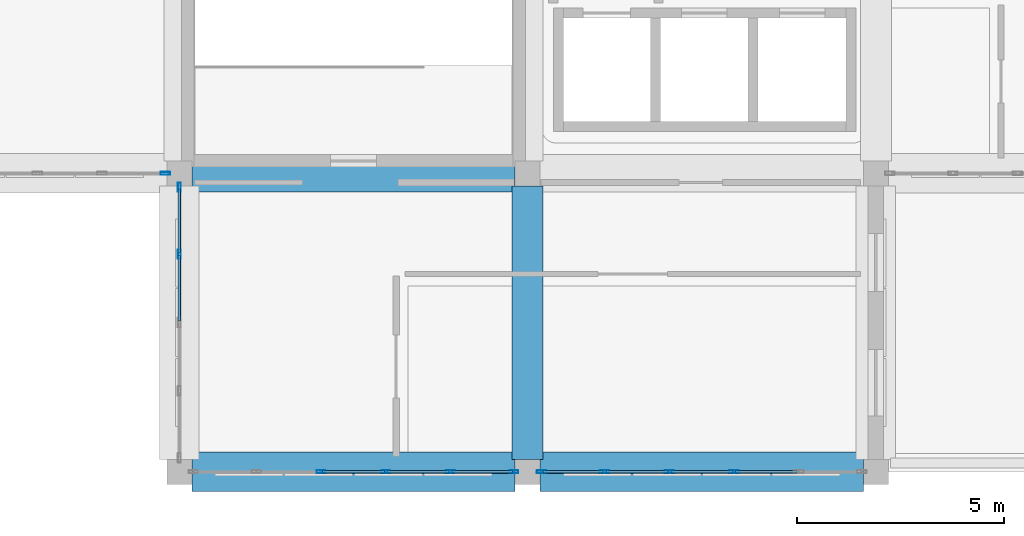
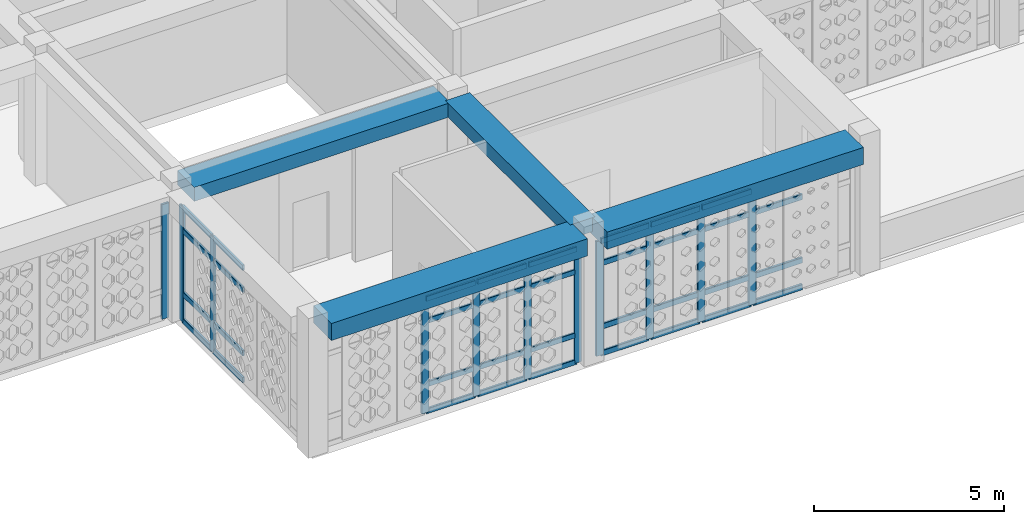
# One storey, part 3 of 28: 46 members, 4 beams, 4 elements without a shape of their own.
"""IFC4 building model written with IfcOpenShell, lengths in metres."""

import ifcopenshell
import ifcopenshell.guid

model = None  # the IFC model being written
_history = None  # IfcOwnerHistory: only IFC2X3 demands one
_inside = {}  # id of a spatial element -> (the spatial element, [elements in it])
_under = {}  # id of a project, library or spatial element -> (it, [spatial elements below it])
_declared = {}  # id of a project -> (the project, [libraries it declares])
_typed = {}  # id of a type object -> (the type object, [elements of that type])
_made_of = {}  # id of a material, layer set ... -> (it, [elements and type objects made of it])


def new_model(schema):
    """Start an empty IFC model of exactly this schema.

    Asked for "IFC4X3", IfcOpenShell would pick the latest addendum, in which some entities
    have other attributes; the version numbers below select the first issue.
    IFC2X3 requires an IfcOwnerHistory on every rooted entity: one is made here for all.
    """
    global model, _history
    if schema == "IFC4X3":
        model = ifcopenshell.file(schema_version=(4, 3, 0, 0))
    else:
        model = ifcopenshell.file(schema=schema)
    _inside.clear()
    _under.clear()
    _declared.clear()
    _typed.clear()
    _made_of.clear()
    _history = None
    if model.schema == "IFC2X3":
        org = make("IfcOrganization", Name="unknown")
        user = make(
            "IfcPersonAndOrganization",
            ThePerson=make("IfcPerson", FamilyName="unknown"),
            TheOrganization=org,
        )
        app = make(
            "IfcApplication",
            ApplicationDeveloper=org,
            Version="unknown",
            ApplicationFullName="unknown",
            ApplicationIdentifier="unknown",
        )
        _history = make(
            "IfcOwnerHistory",
            OwningUser=user,
            OwningApplication=app,
            ChangeAction="ADDED",
            CreationDate=0,
        )
    return model


def make(cls, **values):
    """One entity of the class cls with the attributes given. An attribute that is None is left unset."""
    return model.create_entity(
        cls, **{name: value for name, value in values.items() if value is not None}
    )


def rooted(cls, **values):
    """An entity with a GlobalId (a new one), such as an element, a storey or a relation."""
    return make(cls, GlobalId=ifcopenshell.guid.new(), OwnerHistory=_history, **values)


def si_unit(unit_type, name, prefix=None):
    """IfcSIUnit, for example si_unit("LENGTHUNIT", "METRE", prefix="MILLI")."""
    return make("IfcSIUnit", UnitType=unit_type, Prefix=prefix, Name=name)


def derived_unit(unit_type, elements):
    """IfcDerivedUnit: a product of units, each with its exponent."""
    return make(
        "IfcDerivedUnit",
        Elements=[
            make("IfcDerivedUnitElement", Unit=unit, Exponent=power)
            for unit, power in elements
        ],
        UnitType=unit_type,
    )


def assignment(units):
    """IfcUnitAssignment: the units of a project."""
    return None if units is None else make("IfcUnitAssignment", Units=units)


def point(xyz):
    """IfcCartesianPoint."""
    return None if xyz is None else make("IfcCartesianPoint", Coordinates=xyz)


def direction(xyz):
    """IfcDirection."""
    return None if xyz is None else make("IfcDirection", DirectionRatios=xyz)


def frame(location, z_axis=None, x_axis=None):
    """IfcAxis2Placement3D, a coordinate frame: its origin and axes. An axis left out is left unset."""
    return make(
        "IfcAxis2Placement3D",
        Location=point(location),
        Axis=direction(z_axis),
        RefDirection=direction(x_axis),
    )


def frame_2d(location, x_axis=None):
    """IfcAxis2Placement2D, a coordinate frame in the plane: its origin and x axis."""
    return make(
        "IfcAxis2Placement2D", Location=point(location), RefDirection=direction(x_axis)
    )


def origin():
    """The frame at (0, 0, 0) with its axes left unset."""
    return frame((0.0, 0.0, 0.0))


def origin_2d():
    """The frame at (0, 0) in the plane with its x axis left unset."""
    return frame_2d((0.0, 0.0))


def place(relative_to, where):
    """IfcLocalPlacement: puts the frame where relative to a parent placement (None: the world)."""
    return make(
        "IfcLocalPlacement", PlacementRelTo=relative_to, RelativePlacement=where
    )


def context(
    kind, dimensions, precision=None, world=None, true_north=None, identifier=None
):
    """IfcGeometricRepresentationContext, for example the 3D "Model" context."""
    return make(
        "IfcGeometricRepresentationContext",
        ContextIdentifier=identifier,
        ContextType=kind,
        CoordinateSpaceDimension=dimensions,
        Precision=precision,
        WorldCoordinateSystem=world,
        TrueNorth=true_north,
    )


def subcontext(parent, identifier, kind, view, scale=None):
    """IfcGeometricRepresentationSubContext, for example "Body" below "Model"."""
    return make(
        "IfcGeometricRepresentationSubContext",
        ContextIdentifier=identifier,
        ContextType=kind,
        ParentContext=parent,
        TargetScale=scale,
        TargetView=view,
    )


def project(units=None, contexts=None):
    """IfcProject with its units and contexts."""
    return rooted(
        "IfcProject",
        Name="project",
        RepresentationContexts=contexts,
        UnitsInContext=assignment(units),
    )


def spatial(cls, under=None, at=None, **own):
    """A site, building, storey or space (cls), placed at a placement, below another one or the project."""
    s = rooted(cls, ObjectPlacement=at, **own)
    if under is not None:
        _under.setdefault(under.id(), (under, []))[1].append(s)
    return s


def profile(cls, at=None, kind="AREA", **sizes):
    """A parametric profile (cls). Its sizes go by their IFC names, for example OverallWidth=200.0."""
    return make(cls, ProfileType=kind, Position=at, **sizes)


def rectangle(**sizes):
    """IfcRectangleProfileDef."""
    return profile("IfcRectangleProfileDef", **sizes)


def hollow_rectangle(**sizes):
    """IfcRectangleHollowProfileDef."""
    return profile("IfcRectangleHollowProfileDef", **sizes)


def extrude(swept, where, along, depth):
    """IfcExtrudedAreaSolid: the profile swept, set in the frame where, extruded along a direction by depth."""
    return make(
        "IfcExtrudedAreaSolid",
        SweptArea=swept,
        Position=where,
        ExtrudedDirection=direction(along),
        Depth=depth,
    )


def shape(context_of_items, identifier, shape_type, items):
    """IfcShapeRepresentation: the items that make up one representation, for example the "Body"."""
    return make(
        "IfcShapeRepresentation",
        ContextOfItems=context_of_items,
        RepresentationIdentifier=identifier,
        RepresentationType=shape_type,
        Items=items,
    )


def material(Name=None, Category=None):
    """IfcMaterial."""
    return make("IfcMaterial", Name=Name, Category=Category)


def material_profile(
    of_material, cross_section, Name=None, Category=None, Priority=None
):
    """IfcMaterialProfile: a cross section and its material."""
    return make(
        "IfcMaterialProfile",
        Name=Name,
        Material=of_material,
        Profile=cross_section,
        Priority=Priority,
        Category=Category,
    )


def profile_set(profiles, Name=None, composite=None):
    """IfcMaterialProfileSet."""
    return make(
        "IfcMaterialProfileSet",
        Name=Name,
        MaterialProfiles=profiles,
        CompositeProfile=composite,
    )


def made_of(thing, what):
    """Note that an element or type object is made of a material, layer set ...; save() writes the relation."""
    if what is not None:
        _made_of.setdefault(what.id(), (what, []))[1].append(thing)
    return thing


def type_object(cls, material=None, **own):
    """A type object (cls), such as IfcWallType, which elements share."""
    return made_of(rooted(cls, **own), material)


def element(
    cls,
    number,
    at=None,
    inside=None,
    cuts=None,
    type_object=None,
    material=None,
    context=None,
    identifier="Body",
    shape_type=None,
    held_by="IfcProductDefinitionShape",
    body=None,
    shapes=None,
    **own,
):
    """One element of the class cls, such as IfcWall. Its Tag is "e" and its number.

    at: its placement. inside: the storey or other place that contains it. cuts: it is an
    opening in that element (IfcRelVoidsElement). A single representation is given by context,
    identifier, shape_type and body (its items); several are given by shapes. held_by: the class
    of the entity that holds the representations. save() writes the other relations.
    """
    e = rooted(cls, Tag="e%d" % number, ObjectPlacement=at, **own)
    if body is not None:
        shapes = [shape(context, identifier, shape_type, body)]
    if shapes is not None:
        e.Representation = make(held_by, Representations=shapes)
    if inside is not None:
        _inside.setdefault(inside.id(), (inside, []))[1].append(e)
    if cuts is not None:
        rooted(
            "IfcRelVoidsElement", RelatingBuildingElement=cuts, RelatedOpeningElement=e
        )
    if type_object is not None:
        _typed.setdefault(type_object.id(), (type_object, []))[1].append(e)
    return made_of(e, material)


def aggregate(whole, parts):
    """IfcRelAggregates: a whole, such as a stair, and the parts it consists of."""
    return rooted("IfcRelAggregates", RelatingObject=whole, RelatedObjects=parts)


def save(model, path):
    """Write the relations noted so far, then the file.

    IfcRelAggregates (storeys below a building ...), IfcRelContainedInSpatialStructure (elements
    in a storey), IfcRelDefinesByType, IfcRelAssociatesMaterial and IfcRelDeclares: one each for
    every whole, place, type object, material and project.
    """
    for whole, parts in _under.values():
        aggregate(whole, parts)
    for where, things in _inside.values():
        rooted(
            "IfcRelContainedInSpatialStructure",
            RelatedElements=things,
            RelatingStructure=where,
        )
    for kind, things in _typed.values():
        rooted("IfcRelDefinesByType", RelatedObjects=things, RelatingType=kind)
    for what, things in _made_of.values():
        rooted("IfcRelAssociatesMaterial", RelatedObjects=things, RelatingMaterial=what)
    for by, libraries in _declared.values():
        rooted("IfcRelDeclares", RelatingContext=by, RelatedDefinitions=libraries)
    model.write(path)


model = new_model("IFC4")

# Units and contexts
model_context = context("Model", 3, precision=1e-05, world=origin(), true_north=direction((0.0, 1.0)))
body_context = subcontext(model_context, "Body", "Model", "MODEL_VIEW")
ifc_project = project(units=[si_unit("LENGTHUNIT", "METRE"), si_unit("AREAUNIT", "SQUARE_METRE"), si_unit("VOLUMEUNIT", "CUBIC_METRE"), si_unit("PLANEANGLEUNIT", "RADIAN"), si_unit("MASSUNIT", "GRAM", prefix="KILO"), derived_unit("THERMALTRANSMITTANCEUNIT", [(si_unit("POWERUNIT", "WATT"), 1), (si_unit("LENGTHUNIT", "METRE"), -2), (si_unit("THERMODYNAMICTEMPERATUREUNIT", "KELVIN"), -1)])], contexts=[model_context])

# Site, building, storey
site_placement = place(None, origin())
site = spatial("IfcSite", under=ifc_project, at=site_placement, CompositionType="ELEMENT")
building_placement = place(site_placement, origin())
building = spatial("IfcBuilding", under=site, at=building_placement, Name="Veybourne Emporium", CompositionType="ELEMENT")
storey_placement = place(building_placement, frame((0.0, 0.0, 32.10009765625)))
storey = spatial("IfcBuildingStorey", under=building, at=storey_placement, Name="L07", CompositionType="ELEMENT", Elevation=32.10009765625)

# Curtain wall, members
ifc_material_1 = material(Name="Patinated Architectural Bronze", Category="bronze")
curtain_wall_type_1 = type_object("IfcCurtainWallType", Name="CWSystem_CWS-21", PredefinedType="NOTDEFINED", material=ifc_material_1)
curtain_wall_1_placement = place(storey_placement, origin())
curtain_wall_1 = element("IfcCurtainWall", 1, at=curtain_wall_1_placement, inside=storey, type_object=curtain_wall_type_1, Name="L07 bronze glazed curtain wall CWS-21 (009)", PredefinedType="NOTDEFINED")
ifc_material_profile_1 = material_profile(ifc_material_1, hollow_rectangle(XDim=0.072021484375, YDim=0.22509765625, WallThickness=0.0048828125, InnerFilletRadius=0.007568359375, OuterFilletRadius=0.012451171875, at=origin_2d()), Name="CWM 72x225x5")
ifc_profile_set_1 = profile_set([ifc_material_profile_1], Name="Patinated Architectural Bronze")
member_type_1 = type_object("IfcMemberType", Name="CWMullion_CW-M1", PredefinedType="MULLION", material=ifc_profile_set_1)
member_1_placement = place(storey_placement, frame((16.800048828125, 12.449951171875, 0.0), z_axis=(0.0, 0.0, 1.0), x_axis=(-1.0, 0.0, 0.0)))
member_1 = element("IfcMember", 2, at=member_1_placement, type_object=member_type_1, Name="CWS-21 mullion 4", PredefinedType="MULLION", context=body_context, shape_type="SweptSolid", body=[
    extrude(hollow_rectangle(XDim=0.072021484375, YDim=0.22509765625, WallThickness=0.0048828125, InnerFilletRadius=0.007568359375, OuterFilletRadius=0.012451171875, at=origin_2d()), origin(), (0.0, 0.0, 1.0), 3.68994140625),
])
member_2_placement = place(storey_placement, frame((16.800048828125, 14.06396484375, 0.0), z_axis=(0.0, 0.0, 1.0), x_axis=(-1.0, 0.0, 0.0)))
member_2 = element("IfcMember", 3, at=member_2_placement, type_object=member_type_1, Name="CWS-21 mullion 5", PredefinedType="MULLION", context=body_context, shape_type="SweptSolid", body=[
    extrude(hollow_rectangle(XDim=0.072021484375, YDim=0.22509765625, WallThickness=0.0048828125, InnerFilletRadius=0.007568359375, OuterFilletRadius=0.012451171875, at=origin_2d()), origin(), (0.0, 0.0, 1.0), 3.68994140625),
])

# Curtain wall, member
curtain_wall_type_2 = type_object("IfcCurtainWallType", Name="CWSystem_CWS-18", PredefinedType="NOTDEFINED", material=ifc_material_1)
curtain_wall_2_placement = place(storey_placement, origin())
curtain_wall_2 = element("IfcCurtainWall", 4, at=curtain_wall_2_placement, inside=storey, type_object=curtain_wall_type_2, Name="L07 bronze glazed curtain wall CWS-18 (001)", PredefinedType="NOTDEFINED")
ifc_material_profile_2 = material_profile(ifc_material_1, hollow_rectangle(XDim=0.074951171875, YDim=0.22998046875, WallThickness=0.0048828125, InnerFilletRadius=0.007568359375, OuterFilletRadius=0.012451171875, at=origin_2d()), Name="CWM 75x230x5")
ifc_profile_set_2 = profile_set([ifc_material_profile_2], Name="Patinated Architectural Bronze")
member_type_2 = type_object("IfcMemberType", Name="CWMullion_CW-M2", PredefinedType="MULLION", material=ifc_profile_set_2)
member_3_placement = place(storey_placement, frame((16.46240234375, 14.39990234375, 0.0), z_axis=(0.0, 0.0, 1.0), x_axis=(0.0, -1.0, 0.0)))
member_3 = element("IfcMember", 5, at=member_3_placement, type_object=member_type_2, Name="CWS-18 mullion 1", PredefinedType="MULLION", context=body_context, shape_type="SweptSolid", body=[
    extrude(hollow_rectangle(XDim=0.074951171875, YDim=0.22998046875, WallThickness=0.0048828125, InnerFilletRadius=0.007568359375, OuterFilletRadius=0.012451171875, at=origin_2d()), origin(), (0.0, 0.0, 1.0), 3.68994140625),
])
aggregate(curtain_wall_2, [member_3])

# Curtain wall, members
curtain_wall_type_3 = type_object("IfcCurtainWallType", Name="CWSystem_CWS-22", PredefinedType="NOTDEFINED", material=ifc_material_1)
curtain_wall_3_placement = place(storey_placement, origin())
curtain_wall_3 = element("IfcCurtainWall", 6, at=curtain_wall_3_placement, inside=storey, type_object=curtain_wall_type_3, Name="L07 bronze glazed curtain wall CWS-22 (011)", PredefinedType="NOTDEFINED")
member_4_placement = place(storey_placement, frame((30.179931640625, 7.199951171875, 0.0), z_axis=(0.0, 0.0, 1.0), x_axis=(0.0, -1.0, 0.0)))
member_4 = element("IfcMember", 7, at=member_4_placement, type_object=member_type_2, Name="CWS-22 mullion 3", PredefinedType="MULLION", context=body_context, shape_type="SweptSolid", body=[
    extrude(hollow_rectangle(XDim=0.074951171875, YDim=0.22998046875, WallThickness=0.0048828125, InnerFilletRadius=0.007568359375, OuterFilletRadius=0.012451171875, at=origin_2d()), origin(), (0.0, 0.0, 1.0), 3.68994140625),
])
member_5_placement = place(storey_placement, frame((28.6201171875, 7.199951171875, 0.0), z_axis=(0.0, 0.0, 1.0), x_axis=(0.0, -1.0, 0.0)))
member_5 = element("IfcMember", 8, at=member_5_placement, type_object=member_type_2, Name="CWS-22 mullion 4", PredefinedType="MULLION", context=body_context, shape_type="SweptSolid", body=[
    extrude(hollow_rectangle(XDim=0.074951171875, YDim=0.22998046875, WallThickness=0.0048828125, InnerFilletRadius=0.007568359375, OuterFilletRadius=0.012451171875, at=origin_2d()), origin(), (0.0, 0.0, 1.0), 3.68994140625),
])
member_6_placement = place(storey_placement, frame((27.06005859375, 7.199951171875, 0.0), z_axis=(0.0, 0.0, 1.0), x_axis=(0.0, -1.0, 0.0)))
member_6 = element("IfcMember", 9, at=member_6_placement, type_object=member_type_2, Name="CWS-22 mullion 5", PredefinedType="MULLION", context=body_context, shape_type="SweptSolid", body=[
    extrude(hollow_rectangle(XDim=0.074951171875, YDim=0.22998046875, WallThickness=0.0048828125, InnerFilletRadius=0.007568359375, OuterFilletRadius=0.012451171875, at=origin_2d()), origin(), (0.0, 0.0, 1.0), 3.68994140625),
])
member_7_placement = place(storey_placement, frame((25.53759765625, 7.199951171875, 0.0), z_axis=(0.0, 0.0, 1.0), x_axis=(0.0, -1.0, 0.0)))
member_7 = element("IfcMember", 10, at=member_7_placement, type_object=member_type_2, Name="CWS-22 mullion 6", PredefinedType="MULLION", context=body_context, shape_type="SweptSolid", body=[
    extrude(hollow_rectangle(XDim=0.074951171875, YDim=0.22998046875, WallThickness=0.0048828125, InnerFilletRadius=0.007568359375, OuterFilletRadius=0.012451171875, at=origin_2d()), origin(), (0.0, 0.0, 1.0), 3.68994140625),
])

curtain_wall_type_4 = type_object("IfcCurtainWallType", Name="CWSystem_CWS-20", PredefinedType="NOTDEFINED", material=ifc_material_1)
curtain_wall_4_placement = place(storey_placement, origin())
curtain_wall_4 = element("IfcCurtainWall", 11, at=curtain_wall_4_placement, inside=storey, type_object=curtain_wall_type_4, Name="L07 bronze glazed curtain wall CWS-20 (008)", PredefinedType="NOTDEFINED")
ifc_material_profile_3 = material_profile(ifc_material_1, hollow_rectangle(XDim=0.070068359375, YDim=0.219970703125, WallThickness=0.0048828125, InnerFilletRadius=0.007568359375, OuterFilletRadius=0.012451171875, at=origin_2d()), Name="CWM 70x220x5")
ifc_profile_set_3 = profile_set([ifc_material_profile_3], Name="Patinated Architectural Bronze")
member_type_3 = type_object("IfcMemberType", Name="CWMullion_CW-M4", PredefinedType="MULLION", material=ifc_profile_set_3)
member_8_placement = place(storey_placement, frame((24.864990234375, 7.199951171875, 0.0), z_axis=(0.0, 0.0, 1.0), x_axis=(0.0, -1.0, 0.0)))
member_8 = element("IfcMember", 12, at=member_8_placement, type_object=member_type_3, Name="CWS-20 mullion 1", PredefinedType="MULLION", context=body_context, shape_type="SweptSolid", body=[
    extrude(hollow_rectangle(XDim=0.070068359375, YDim=0.219970703125, WallThickness=0.0048828125, InnerFilletRadius=0.007568359375, OuterFilletRadius=0.012451171875, at=origin_2d()), origin(), (0.0, 0.0, 1.0), 3.68994140625),
])
member_9_placement = place(storey_placement, frame((23.340087890625, 7.199951171875, 0.0), z_axis=(0.0, 0.0, 1.0), x_axis=(0.0, -1.0, 0.0)))
member_9 = element("IfcMember", 13, at=member_9_placement, type_object=member_type_3, Name="CWS-20 mullion 2", PredefinedType="MULLION", context=body_context, shape_type="SweptSolid", body=[
    extrude(hollow_rectangle(XDim=0.070068359375, YDim=0.219970703125, WallThickness=0.0048828125, InnerFilletRadius=0.007568359375, OuterFilletRadius=0.012451171875, at=origin_2d()), origin(), (0.0, 0.0, 1.0), 3.68994140625),
])
member_10_placement = place(storey_placement, frame((21.780029296875, 7.199951171875, 0.0), z_axis=(0.0, 0.0, 1.0), x_axis=(0.0, -1.0, 0.0)))
member_10 = element("IfcMember", 14, at=member_10_placement, type_object=member_type_3, Name="CWS-20 mullion 3", PredefinedType="MULLION", context=body_context, shape_type="SweptSolid", body=[
    extrude(hollow_rectangle(XDim=0.070068359375, YDim=0.219970703125, WallThickness=0.0048828125, InnerFilletRadius=0.007568359375, OuterFilletRadius=0.012451171875, at=origin_2d()), origin(), (0.0, 0.0, 1.0), 3.68994140625),
])
member_11_placement = place(storey_placement, frame((20.219970703125, 7.199951171875, 0.0), z_axis=(0.0, 0.0, 1.0), x_axis=(0.0, -1.0, 0.0)))
member_11 = element("IfcMember", 15, at=member_11_placement, type_object=member_type_3, Name="CWS-20 mullion 4", PredefinedType="MULLION", context=body_context, shape_type="SweptSolid", body=[
    extrude(hollow_rectangle(XDim=0.070068359375, YDim=0.219970703125, WallThickness=0.0048828125, InnerFilletRadius=0.007568359375, OuterFilletRadius=0.012451171875, at=origin_2d()), origin(), (0.0, 0.0, 1.0), 3.68994140625),
])

# Member
ifc_material_profile_4 = material_profile(ifc_material_1, hollow_rectangle(XDim=0.072021484375, YDim=0.175048828125, WallThickness=0.0048828125, InnerFilletRadius=0.007568359375, OuterFilletRadius=0.012451171875, at=origin_2d()), Name="CWT 72x175x5")
ifc_profile_set_4 = profile_set([ifc_material_profile_4], Name="Patinated Architectural Bronze")
member_type_4 = type_object("IfcMemberType", Name="CWTransom_CW-T1", PredefinedType="NOTDEFINED", material=ifc_profile_set_4)
member_12_placement = place(storey_placement, frame((16.800048828125, 10.8359375, 0.035888671875), z_axis=(0.0, 1.0, 0.0), x_axis=(-1.0, 0.0, 0.0)))
member_12 = element("IfcMember", 16, at=member_12_placement, type_object=member_type_4, Name="CWS-21 transom 3.1", ObjectType="TRANSOM", PredefinedType="USERDEFINED", context=body_context, shape_type="SweptSolid", body=[
    extrude(hollow_rectangle(XDim=0.072021484375, YDim=0.175048828125, WallThickness=0.0048828125, InnerFilletRadius=0.007568359375, OuterFilletRadius=0.012451171875, at=origin_2d()), origin(), (0.0, 0.0, 1.0), 1.578125),
])

member_13_placement = place(storey_placement, frame((16.800048828125, 10.8359375, 0.89990234375), z_axis=(0.0, 1.0, 0.0), x_axis=(-1.0, 0.0, 0.0)))
member_13 = element("IfcMember", 17, at=member_13_placement, type_object=member_type_4, Name="CWS-21 transom 3.2", ObjectType="TRANSOM", PredefinedType="USERDEFINED", context=body_context, shape_type="SweptSolid", body=[
    extrude(hollow_rectangle(XDim=0.072021484375, YDim=0.175048828125, WallThickness=0.0048828125, InnerFilletRadius=0.007568359375, OuterFilletRadius=0.012451171875, at=origin_2d()), origin(), (0.0, 0.0, 1.0), 1.578125),
])

member_14_placement = place(storey_placement, frame((16.800048828125, 10.8359375, 2.93994140625), z_axis=(0.0, 1.0, 0.0), x_axis=(-1.0, 0.0, 0.0)))
member_14 = element("IfcMember", 18, at=member_14_placement, type_object=member_type_4, Name="CWS-21 transom 3.3", ObjectType="TRANSOM", PredefinedType="USERDEFINED", context=body_context, shape_type="SweptSolid", body=[
    extrude(hollow_rectangle(XDim=0.072021484375, YDim=0.175048828125, WallThickness=0.0048828125, InnerFilletRadius=0.007568359375, OuterFilletRadius=0.012451171875, at=origin_2d()), origin(), (0.0, 0.0, 1.0), 1.578125),
])

member_15_placement = place(storey_placement, frame((16.800048828125, 10.8359375, 3.65380859375), z_axis=(0.0, 1.0, 0.0), x_axis=(-1.0, 0.0, 0.0)))
member_15 = element("IfcMember", 19, at=member_15_placement, type_object=member_type_4, Name="CWS-21 transom 3.4", ObjectType="TRANSOM", PredefinedType="USERDEFINED", context=body_context, shape_type="SweptSolid", body=[
    extrude(hollow_rectangle(XDim=0.072021484375, YDim=0.175048828125, WallThickness=0.0048828125, InnerFilletRadius=0.007568359375, OuterFilletRadius=0.012451171875, at=origin_2d()), origin(), (0.0, 0.0, 1.0), 1.578125),
])

member_16_placement = place(storey_placement, frame((16.800048828125, 12.486083984375, 0.035888671875), z_axis=(0.0, 1.0, 0.0), x_axis=(-1.0, 0.0, 0.0)))
member_16 = element("IfcMember", 20, at=member_16_placement, type_object=member_type_4, Name="CWS-21 transom 4.1", ObjectType="TRANSOM", PredefinedType="USERDEFINED", context=body_context, shape_type="SweptSolid", body=[
    extrude(hollow_rectangle(XDim=0.072021484375, YDim=0.175048828125, WallThickness=0.0048828125, InnerFilletRadius=0.007568359375, OuterFilletRadius=0.012451171875, at=origin_2d()), origin(), (0.0, 0.0, 1.0), 1.5419921875),
])

member_17_placement = place(storey_placement, frame((16.800048828125, 12.486083984375, 0.89990234375), z_axis=(0.0, 1.0, 0.0), x_axis=(-1.0, 0.0, 0.0)))
member_17 = element("IfcMember", 21, at=member_17_placement, type_object=member_type_4, Name="CWS-21 transom 4.2", ObjectType="TRANSOM", PredefinedType="USERDEFINED", context=body_context, shape_type="SweptSolid", body=[
    extrude(hollow_rectangle(XDim=0.072021484375, YDim=0.175048828125, WallThickness=0.0048828125, InnerFilletRadius=0.007568359375, OuterFilletRadius=0.012451171875, at=origin_2d()), origin(), (0.0, 0.0, 1.0), 1.5419921875),
])

member_18_placement = place(storey_placement, frame((16.800048828125, 12.486083984375, 2.93994140625), z_axis=(0.0, 1.0, 0.0), x_axis=(-1.0, 0.0, 0.0)))
member_18 = element("IfcMember", 22, at=member_18_placement, type_object=member_type_4, Name="CWS-21 transom 4.3", ObjectType="TRANSOM", PredefinedType="USERDEFINED", context=body_context, shape_type="SweptSolid", body=[
    extrude(hollow_rectangle(XDim=0.072021484375, YDim=0.175048828125, WallThickness=0.0048828125, InnerFilletRadius=0.007568359375, OuterFilletRadius=0.012451171875, at=origin_2d()), origin(), (0.0, 0.0, 1.0), 1.5419921875),
])

member_19_placement = place(storey_placement, frame((16.800048828125, 12.486083984375, 3.65380859375), z_axis=(0.0, 1.0, 0.0), x_axis=(-1.0, 0.0, 0.0)))
member_19 = element("IfcMember", 23, at=member_19_placement, type_object=member_type_4, Name="CWS-21 transom 4.4", ObjectType="TRANSOM", PredefinedType="USERDEFINED", context=body_context, shape_type="SweptSolid", body=[
    extrude(hollow_rectangle(XDim=0.072021484375, YDim=0.175048828125, WallThickness=0.0048828125, InnerFilletRadius=0.007568359375, OuterFilletRadius=0.012451171875, at=origin_2d()), origin(), (0.0, 0.0, 1.0), 1.5419921875),
])

aggregate(curtain_wall_1, [member_1, member_2, member_12, member_13, member_14, member_15, member_16, member_17, member_18, member_19])

ifc_material_profile_5 = material_profile(ifc_material_1, hollow_rectangle(XDim=0.074951171875, YDim=0.179931640625, WallThickness=0.0048828125, InnerFilletRadius=0.007568359375, OuterFilletRadius=0.012451171875, at=origin_2d()), Name="CWT 75x180x5")
ifc_profile_set_5 = profile_set([ifc_material_profile_5], Name="Patinated Architectural Bronze")
member_type_5 = type_object("IfcMemberType", Name="CWTransom_CW-T2", PredefinedType="NOTDEFINED", material=ifc_profile_set_5)
member_20_placement = place(storey_placement, frame((31.702392578125, 7.199951171875, 0.037353515625), z_axis=(-1.0, 0.0, 0.0), x_axis=(0.0, -1.0, 0.0)))
member_20 = element("IfcMember", 24, at=member_20_placement, type_object=member_type_5, Name="CWS-22 transom 2.1", ObjectType="TRANSOM", PredefinedType="USERDEFINED", context=body_context, shape_type="SweptSolid", body=[
    extrude(hollow_rectangle(XDim=0.074951171875, YDim=0.179931640625, WallThickness=0.0048828125, InnerFilletRadius=0.007568359375, OuterFilletRadius=0.012451171875, at=origin_2d()), origin(), (0.0, 0.0, 1.0), 1.48486328125),
])

member_21_placement = place(storey_placement, frame((31.702392578125, 7.199951171875, 0.89990234375), z_axis=(-1.0, 0.0, 0.0), x_axis=(0.0, -1.0, 0.0)))
member_21 = element("IfcMember", 25, at=member_21_placement, type_object=member_type_5, Name="CWS-22 transom 2.2", ObjectType="TRANSOM", PredefinedType="USERDEFINED", context=body_context, shape_type="SweptSolid", body=[
    extrude(hollow_rectangle(XDim=0.074951171875, YDim=0.179931640625, WallThickness=0.0048828125, InnerFilletRadius=0.007568359375, OuterFilletRadius=0.012451171875, at=origin_2d()), origin(), (0.0, 0.0, 1.0), 1.48486328125),
])

member_22_placement = place(storey_placement, frame((31.702392578125, 7.199951171875, 2.93994140625), z_axis=(-1.0, 0.0, 0.0), x_axis=(0.0, -1.0, 0.0)))
member_22 = element("IfcMember", 26, at=member_22_placement, type_object=member_type_5, Name="CWS-22 transom 2.3", ObjectType="TRANSOM", PredefinedType="USERDEFINED", context=body_context, shape_type="SweptSolid", body=[
    extrude(hollow_rectangle(XDim=0.074951171875, YDim=0.179931640625, WallThickness=0.0048828125, InnerFilletRadius=0.007568359375, OuterFilletRadius=0.012451171875, at=origin_2d()), origin(), (0.0, 0.0, 1.0), 1.48486328125),
])

member_23_placement = place(storey_placement, frame((30.142578125, 7.199951171875, 0.037353515625), z_axis=(-1.0, 0.0, 0.0), x_axis=(0.0, -1.0, 0.0)))
member_23 = element("IfcMember", 27, at=member_23_placement, type_object=member_type_5, Name="CWS-22 transom 3.1", ObjectType="TRANSOM", PredefinedType="USERDEFINED", context=body_context, shape_type="SweptSolid", body=[
    extrude(hollow_rectangle(XDim=0.074951171875, YDim=0.179931640625, WallThickness=0.0048828125, InnerFilletRadius=0.007568359375, OuterFilletRadius=0.012451171875, at=origin_2d()), origin(), (0.0, 0.0, 1.0), 1.485107421875),
])

member_24_placement = place(storey_placement, frame((30.142578125, 7.199951171875, 0.89990234375), z_axis=(-1.0, 0.0, 0.0), x_axis=(0.0, -1.0, 0.0)))
member_24 = element("IfcMember", 28, at=member_24_placement, type_object=member_type_5, Name="CWS-22 transom 3.2", ObjectType="TRANSOM", PredefinedType="USERDEFINED", context=body_context, shape_type="SweptSolid", body=[
    extrude(hollow_rectangle(XDim=0.074951171875, YDim=0.179931640625, WallThickness=0.0048828125, InnerFilletRadius=0.007568359375, OuterFilletRadius=0.012451171875, at=origin_2d()), origin(), (0.0, 0.0, 1.0), 1.485107421875),
])

member_25_placement = place(storey_placement, frame((30.142578125, 7.199951171875, 2.93994140625), z_axis=(-1.0, 0.0, 0.0), x_axis=(0.0, -1.0, 0.0)))
member_25 = element("IfcMember", 29, at=member_25_placement, type_object=member_type_5, Name="CWS-22 transom 3.3", ObjectType="TRANSOM", PredefinedType="USERDEFINED", context=body_context, shape_type="SweptSolid", body=[
    extrude(hollow_rectangle(XDim=0.074951171875, YDim=0.179931640625, WallThickness=0.0048828125, InnerFilletRadius=0.007568359375, OuterFilletRadius=0.012451171875, at=origin_2d()), origin(), (0.0, 0.0, 1.0), 1.485107421875),
])

member_26_placement = place(storey_placement, frame((30.142578125, 7.199951171875, 3.65234375), z_axis=(-1.0, 0.0, 0.0), x_axis=(0.0, -1.0, 0.0)))
member_26 = element("IfcMember", 30, at=member_26_placement, type_object=member_type_5, Name="CWS-22 transom 3.4", ObjectType="TRANSOM", PredefinedType="USERDEFINED", context=body_context, shape_type="SweptSolid", body=[
    extrude(hollow_rectangle(XDim=0.074951171875, YDim=0.179931640625, WallThickness=0.0048828125, InnerFilletRadius=0.007568359375, OuterFilletRadius=0.012451171875, at=origin_2d()), origin(), (0.0, 0.0, 1.0), 1.485107421875),
])

member_27_placement = place(storey_placement, frame((28.58251953125, 7.199951171875, 0.037353515625), z_axis=(-1.0, 0.0, 0.0), x_axis=(0.0, -1.0, 0.0)))
member_27 = element("IfcMember", 31, at=member_27_placement, type_object=member_type_5, Name="CWS-22 transom 4.1", ObjectType="TRANSOM", PredefinedType="USERDEFINED", context=body_context, shape_type="SweptSolid", body=[
    extrude(hollow_rectangle(XDim=0.074951171875, YDim=0.179931640625, WallThickness=0.0048828125, InnerFilletRadius=0.007568359375, OuterFilletRadius=0.012451171875, at=origin_2d()), origin(), (0.0, 0.0, 1.0), 1.485107421875),
])

member_28_placement = place(storey_placement, frame((28.58251953125, 7.199951171875, 0.89990234375), z_axis=(-1.0, 0.0, 0.0), x_axis=(0.0, -1.0, 0.0)))
member_28 = element("IfcMember", 32, at=member_28_placement, type_object=member_type_5, Name="CWS-22 transom 4.2", ObjectType="TRANSOM", PredefinedType="USERDEFINED", context=body_context, shape_type="SweptSolid", body=[
    extrude(hollow_rectangle(XDim=0.074951171875, YDim=0.179931640625, WallThickness=0.0048828125, InnerFilletRadius=0.007568359375, OuterFilletRadius=0.012451171875, at=origin_2d()), origin(), (0.0, 0.0, 1.0), 1.485107421875),
])

member_29_placement = place(storey_placement, frame((28.58251953125, 7.199951171875, 2.93994140625), z_axis=(-1.0, 0.0, 0.0), x_axis=(0.0, -1.0, 0.0)))
member_29 = element("IfcMember", 33, at=member_29_placement, type_object=member_type_5, Name="CWS-22 transom 4.3", ObjectType="TRANSOM", PredefinedType="USERDEFINED", context=body_context, shape_type="SweptSolid", body=[
    extrude(hollow_rectangle(XDim=0.074951171875, YDim=0.179931640625, WallThickness=0.0048828125, InnerFilletRadius=0.007568359375, OuterFilletRadius=0.012451171875, at=origin_2d()), origin(), (0.0, 0.0, 1.0), 1.485107421875),
])

member_30_placement = place(storey_placement, frame((28.58251953125, 7.199951171875, 3.65234375), z_axis=(-1.0, 0.0, 0.0), x_axis=(0.0, -1.0, 0.0)))
member_30 = element("IfcMember", 34, at=member_30_placement, type_object=member_type_5, Name="CWS-22 transom 4.4", ObjectType="TRANSOM", PredefinedType="USERDEFINED", context=body_context, shape_type="SweptSolid", body=[
    extrude(hollow_rectangle(XDim=0.074951171875, YDim=0.179931640625, WallThickness=0.0048828125, InnerFilletRadius=0.007568359375, OuterFilletRadius=0.012451171875, at=origin_2d()), origin(), (0.0, 0.0, 1.0), 1.485107421875),
])

member_31_placement = place(storey_placement, frame((27.0224609375, 7.199951171875, 0.037353515625), z_axis=(-1.0, 0.0, 0.0), x_axis=(0.0, -1.0, 0.0)))
member_31 = element("IfcMember", 35, at=member_31_placement, type_object=member_type_5, Name="CWS-22 transom 5.1", ObjectType="TRANSOM", PredefinedType="USERDEFINED", context=body_context, shape_type="SweptSolid", body=[
    extrude(hollow_rectangle(XDim=0.074951171875, YDim=0.179931640625, WallThickness=0.0048828125, InnerFilletRadius=0.007568359375, OuterFilletRadius=0.012451171875, at=origin_2d()), origin(), (0.0, 0.0, 1.0), 1.447509765625),
])

member_32_placement = place(storey_placement, frame((27.0224609375, 7.199951171875, 0.89990234375), z_axis=(-1.0, 0.0, 0.0), x_axis=(0.0, -1.0, 0.0)))
member_32 = element("IfcMember", 36, at=member_32_placement, type_object=member_type_5, Name="CWS-22 transom 5.2", ObjectType="TRANSOM", PredefinedType="USERDEFINED", context=body_context, shape_type="SweptSolid", body=[
    extrude(hollow_rectangle(XDim=0.074951171875, YDim=0.179931640625, WallThickness=0.0048828125, InnerFilletRadius=0.007568359375, OuterFilletRadius=0.012451171875, at=origin_2d()), origin(), (0.0, 0.0, 1.0), 1.447509765625),
])

member_33_placement = place(storey_placement, frame((27.0224609375, 7.199951171875, 2.93994140625), z_axis=(-1.0, 0.0, 0.0), x_axis=(0.0, -1.0, 0.0)))
member_33 = element("IfcMember", 37, at=member_33_placement, type_object=member_type_5, Name="CWS-22 transom 5.3", ObjectType="TRANSOM", PredefinedType="USERDEFINED", context=body_context, shape_type="SweptSolid", body=[
    extrude(hollow_rectangle(XDim=0.074951171875, YDim=0.179931640625, WallThickness=0.0048828125, InnerFilletRadius=0.007568359375, OuterFilletRadius=0.012451171875, at=origin_2d()), origin(), (0.0, 0.0, 1.0), 1.447509765625),
])

member_34_placement = place(storey_placement, frame((27.0224609375, 7.199951171875, 3.65234375), z_axis=(-1.0, 0.0, 0.0), x_axis=(0.0, -1.0, 0.0)))
member_34 = element("IfcMember", 38, at=member_34_placement, type_object=member_type_5, Name="CWS-22 transom 5.4", ObjectType="TRANSOM", PredefinedType="USERDEFINED", context=body_context, shape_type="SweptSolid", body=[
    extrude(hollow_rectangle(XDim=0.074951171875, YDim=0.179931640625, WallThickness=0.0048828125, InnerFilletRadius=0.007568359375, OuterFilletRadius=0.012451171875, at=origin_2d()), origin(), (0.0, 0.0, 1.0), 1.447509765625),
])

aggregate(curtain_wall_3, [member_4, member_5, member_6, member_7, member_20, member_21, member_22, member_23, member_24, member_25, member_26, member_27, member_28, member_29, member_30, member_31, member_32, member_33, member_34])

ifc_material_profile_6 = material_profile(ifc_material_1, hollow_rectangle(XDim=0.070068359375, YDim=0.169921875, WallThickness=0.0048828125, InnerFilletRadius=0.007568359375, OuterFilletRadius=0.012451171875, at=origin_2d()), Name="CWT 70x170x5")
ifc_profile_set_6 = profile_set([ifc_material_profile_6], Name="Patinated Architectural Bronze")
member_type_6 = type_object("IfcMemberType", Name="CWTransom_CW-T4", PredefinedType="NOTDEFINED", material=ifc_profile_set_6)
member_35_placement = place(storey_placement, frame((24.830078125, 7.199951171875, 0.034912109375), z_axis=(-1.0, 0.0, 0.0), x_axis=(0.0, -1.0, 0.0)))
member_35 = element("IfcMember", 39, at=member_35_placement, type_object=member_type_6, Name="CWS-20 transom 1.1", ObjectType="TRANSOM", PredefinedType="USERDEFINED", context=body_context, shape_type="SweptSolid", body=[
    extrude(hollow_rectangle(XDim=0.070068359375, YDim=0.169921875, WallThickness=0.0048828125, InnerFilletRadius=0.007568359375, OuterFilletRadius=0.012451171875, at=origin_2d()), origin(), (0.0, 0.0, 1.0), 1.455078125),
])

member_36_placement = place(storey_placement, frame((24.830078125, 7.199951171875, 0.89990234375), z_axis=(-1.0, 0.0, 0.0), x_axis=(0.0, -1.0, 0.0)))
member_36 = element("IfcMember", 40, at=member_36_placement, type_object=member_type_6, Name="CWS-20 transom 1.2", ObjectType="TRANSOM", PredefinedType="USERDEFINED", context=body_context, shape_type="SweptSolid", body=[
    extrude(hollow_rectangle(XDim=0.070068359375, YDim=0.169921875, WallThickness=0.0048828125, InnerFilletRadius=0.007568359375, OuterFilletRadius=0.012451171875, at=origin_2d()), origin(), (0.0, 0.0, 1.0), 1.455078125),
])

member_37_placement = place(storey_placement, frame((24.830078125, 7.199951171875, 2.93994140625), z_axis=(-1.0, 0.0, 0.0), x_axis=(0.0, -1.0, 0.0)))
member_37 = element("IfcMember", 41, at=member_37_placement, type_object=member_type_6, Name="CWS-20 transom 1.3", ObjectType="TRANSOM", PredefinedType="USERDEFINED", context=body_context, shape_type="SweptSolid", body=[
    extrude(hollow_rectangle(XDim=0.070068359375, YDim=0.169921875, WallThickness=0.0048828125, InnerFilletRadius=0.007568359375, OuterFilletRadius=0.012451171875, at=origin_2d()), origin(), (0.0, 0.0, 1.0), 1.455078125),
])

member_38_placement = place(storey_placement, frame((24.830078125, 7.199951171875, 3.65478515625), z_axis=(-1.0, 0.0, 0.0), x_axis=(0.0, -1.0, 0.0)))
member_38 = element("IfcMember", 42, at=member_38_placement, type_object=member_type_6, Name="CWS-20 transom 1.4", ObjectType="TRANSOM", PredefinedType="USERDEFINED", context=body_context, shape_type="SweptSolid", body=[
    extrude(hollow_rectangle(XDim=0.070068359375, YDim=0.169921875, WallThickness=0.0048828125, InnerFilletRadius=0.007568359375, OuterFilletRadius=0.012451171875, at=origin_2d()), origin(), (0.0, 0.0, 1.0), 1.455078125),
])

member_39_placement = place(storey_placement, frame((23.304931640625, 7.199951171875, 0.034912109375), z_axis=(-1.0, 0.0, 0.0), x_axis=(0.0, -1.0, 0.0)))
member_39 = element("IfcMember", 43, at=member_39_placement, type_object=member_type_6, Name="CWS-20 transom 2.1", ObjectType="TRANSOM", PredefinedType="USERDEFINED", context=body_context, shape_type="SweptSolid", body=[
    extrude(hollow_rectangle(XDim=0.070068359375, YDim=0.169921875, WallThickness=0.0048828125, InnerFilletRadius=0.007568359375, OuterFilletRadius=0.012451171875, at=origin_2d()), origin(), (0.0, 0.0, 1.0), 1.489990234375),
])

member_40_placement = place(storey_placement, frame((23.304931640625, 7.199951171875, 0.89990234375), z_axis=(-1.0, 0.0, 0.0), x_axis=(0.0, -1.0, 0.0)))
member_40 = element("IfcMember", 44, at=member_40_placement, type_object=member_type_6, Name="CWS-20 transom 2.2", ObjectType="TRANSOM", PredefinedType="USERDEFINED", context=body_context, shape_type="SweptSolid", body=[
    extrude(hollow_rectangle(XDim=0.070068359375, YDim=0.169921875, WallThickness=0.0048828125, InnerFilletRadius=0.007568359375, OuterFilletRadius=0.012451171875, at=origin_2d()), origin(), (0.0, 0.0, 1.0), 1.489990234375),
])

member_41_placement = place(storey_placement, frame((23.304931640625, 7.199951171875, 2.93994140625), z_axis=(-1.0, 0.0, 0.0), x_axis=(0.0, -1.0, 0.0)))
member_41 = element("IfcMember", 45, at=member_41_placement, type_object=member_type_6, Name="CWS-20 transom 2.3", ObjectType="TRANSOM", PredefinedType="USERDEFINED", context=body_context, shape_type="SweptSolid", body=[
    extrude(hollow_rectangle(XDim=0.070068359375, YDim=0.169921875, WallThickness=0.0048828125, InnerFilletRadius=0.007568359375, OuterFilletRadius=0.012451171875, at=origin_2d()), origin(), (0.0, 0.0, 1.0), 1.489990234375),
])

member_42_placement = place(storey_placement, frame((23.304931640625, 7.199951171875, 3.65478515625), z_axis=(-1.0, 0.0, 0.0), x_axis=(0.0, -1.0, 0.0)))
member_42 = element("IfcMember", 46, at=member_42_placement, type_object=member_type_6, Name="CWS-20 transom 2.4", ObjectType="TRANSOM", PredefinedType="USERDEFINED", context=body_context, shape_type="SweptSolid", body=[
    extrude(hollow_rectangle(XDim=0.070068359375, YDim=0.169921875, WallThickness=0.0048828125, InnerFilletRadius=0.007568359375, OuterFilletRadius=0.012451171875, at=origin_2d()), origin(), (0.0, 0.0, 1.0), 1.489990234375),
])

member_43_placement = place(storey_placement, frame((21.7451171875, 7.199951171875, 0.034912109375), z_axis=(-1.0, 0.0, 0.0), x_axis=(0.0, -1.0, 0.0)))
member_43 = element("IfcMember", 47, at=member_43_placement, type_object=member_type_6, Name="CWS-20 transom 3.1", ObjectType="TRANSOM", PredefinedType="USERDEFINED", context=body_context, shape_type="SweptSolid", body=[
    extrude(hollow_rectangle(XDim=0.070068359375, YDim=0.169921875, WallThickness=0.0048828125, InnerFilletRadius=0.007568359375, OuterFilletRadius=0.012451171875, at=origin_2d()), origin(), (0.0, 0.0, 1.0), 1.490234375),
])

member_44_placement = place(storey_placement, frame((21.7451171875, 7.199951171875, 0.89990234375), z_axis=(-1.0, 0.0, 0.0), x_axis=(0.0, -1.0, 0.0)))
member_44 = element("IfcMember", 48, at=member_44_placement, type_object=member_type_6, Name="CWS-20 transom 3.2", ObjectType="TRANSOM", PredefinedType="USERDEFINED", context=body_context, shape_type="SweptSolid", body=[
    extrude(hollow_rectangle(XDim=0.070068359375, YDim=0.169921875, WallThickness=0.0048828125, InnerFilletRadius=0.007568359375, OuterFilletRadius=0.012451171875, at=origin_2d()), origin(), (0.0, 0.0, 1.0), 1.490234375),
])

member_45_placement = place(storey_placement, frame((21.7451171875, 7.199951171875, 2.93994140625), z_axis=(-1.0, 0.0, 0.0), x_axis=(0.0, -1.0, 0.0)))
member_45 = element("IfcMember", 49, at=member_45_placement, type_object=member_type_6, Name="CWS-20 transom 3.3", ObjectType="TRANSOM", PredefinedType="USERDEFINED", context=body_context, shape_type="SweptSolid", body=[
    extrude(hollow_rectangle(XDim=0.070068359375, YDim=0.169921875, WallThickness=0.0048828125, InnerFilletRadius=0.007568359375, OuterFilletRadius=0.012451171875, at=origin_2d()), origin(), (0.0, 0.0, 1.0), 1.490234375),
])

member_46_placement = place(storey_placement, frame((21.7451171875, 7.199951171875, 3.65478515625), z_axis=(-1.0, 0.0, 0.0), x_axis=(0.0, -1.0, 0.0)))
member_46 = element("IfcMember", 50, at=member_46_placement, type_object=member_type_6, Name="CWS-20 transom 3.4", ObjectType="TRANSOM", PredefinedType="USERDEFINED", context=body_context, shape_type="SweptSolid", body=[
    extrude(hollow_rectangle(XDim=0.070068359375, YDim=0.169921875, WallThickness=0.0048828125, InnerFilletRadius=0.007568359375, OuterFilletRadius=0.012451171875, at=origin_2d()), origin(), (0.0, 0.0, 1.0), 1.490234375),
])

aggregate(curtain_wall_4, [member_8, member_9, member_10, member_11, member_35, member_36, member_37, member_38, member_39, member_40, member_41, member_42, member_43, member_44, member_45, member_46])

# Beams
ifc_material_2 = material(Name="Concrete C32/40", Category="concrete")
ifc_material_profile_7 = material_profile(ifc_material_2, rectangle(XDim=0.89990234375, YDim=0.449951171875, at=origin_2d()), Name="RC 900x450")
ifc_profile_set_7 = profile_set([ifc_material_profile_7], Name="Concrete C32/40")
beam_type_1 = type_object("IfcBeamType", Name="RCBeam_BB-03", PredefinedType="BEAM", material=ifc_profile_set_7)
beam_1_placement = place(storey_placement, frame((17.10009765625, 14.39990234375, 4.014892578125), z_axis=(1.0, 0.0, 0.0), x_axis=(0.0, 1.0, 0.0)))
element("IfcBeam", 51, at=beam_1_placement, inside=storey, type_object=beam_type_1, Name="L07 X-grid beam BB-03 (2,2)", PredefinedType="BEAM", context=body_context, shape_type="SweptSolid", body=[
    extrude(rectangle(XDim=0.89990234375, YDim=0.449951171875, at=origin_2d()), origin(), (0.0, 0.0, 1.0), 7.7998046875),
])
ifc_material_profile_8 = material_profile(ifc_material_2, rectangle(XDim=0.75, YDim=0.449951171875, at=origin_2d()), Name="RC 750x450")
ifc_profile_set_8 = profile_set([ifc_material_profile_8], Name="Concrete C32/40")
beam_type_2 = type_object("IfcBeamType", Name="RCBeam_BB-04", PredefinedType="BEAM", material=ifc_profile_set_8)
beam_2_placement = place(storey_placement, frame((25.199951171875, 7.5, 4.014892578125), z_axis=(0.0, 1.0, 0.0), x_axis=(-1.0, 0.0, 0.0)))
element("IfcBeam", 52, at=beam_2_placement, inside=storey, type_object=beam_type_2, Name="L07 Y-grid beam BB-04 (3,1)", PredefinedType="BEAM", context=body_context, shape_type="SweptSolid", body=[
    extrude(rectangle(XDim=0.75, YDim=0.449951171875, at=origin_2d()), origin(), (0.0, 0.0, 1.0), 6.60009765625),
])
ifc_material_profile_9 = material_profile(ifc_material_2, rectangle(XDim=0.949951171875, YDim=0.550048828125, at=origin_2d()), Name="RC 950x550")
ifc_profile_set_9 = profile_set([ifc_material_profile_9], Name="Concrete C32/40")
beam_type_3 = type_object("IfcBeamType", Name="RCBeam_EB-01", PredefinedType="SPANDREL", material=ifc_profile_set_9)
beam_3_placement = place(storey_placement, frame((17.10009765625, 7.199951171875, 3.96484375), z_axis=(1.0, 0.0, 0.0), x_axis=(0.0, 1.0, 0.0)))
element("IfcBeam", 53, at=beam_3_placement, inside=storey, type_object=beam_type_3, Name="L07 X-grid beam EB-01 (2,1)", PredefinedType="SPANDREL", context=body_context, shape_type="SweptSolid", body=[
    extrude(rectangle(XDim=0.949951171875, YDim=0.550048828125, at=origin_2d()), origin(), (0.0, 0.0, 1.0), 7.7998046875),
])
beam_4_placement = place(storey_placement, frame((25.5, 7.199951171875, 3.96484375), z_axis=(1.0, 0.0, 0.0), x_axis=(0.0, 1.0, 0.0)))
element("IfcBeam", 54, at=beam_4_placement, inside=storey, type_object=beam_type_3, Name="L07 X-grid beam EB-01 (3,1)", PredefinedType="SPANDREL", context=body_context, shape_type="SweptSolid", body=[
    extrude(rectangle(XDim=0.949951171875, YDim=0.550048828125, at=origin_2d()), origin(), (0.0, 0.0, 1.0), 7.800048828125),
])

save(model, "model.ifc")
